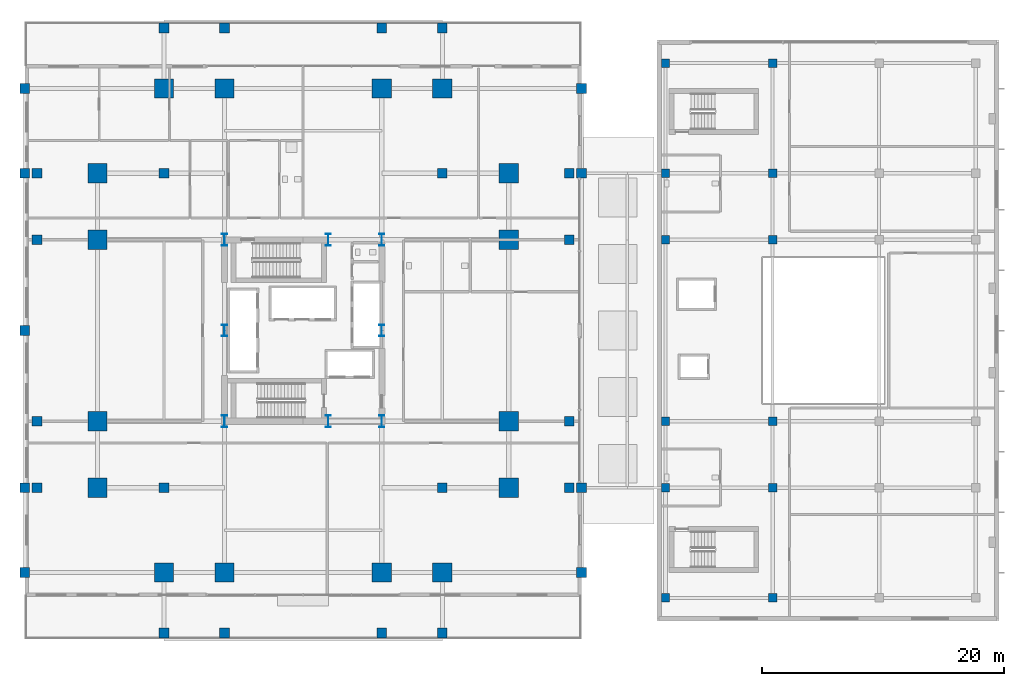
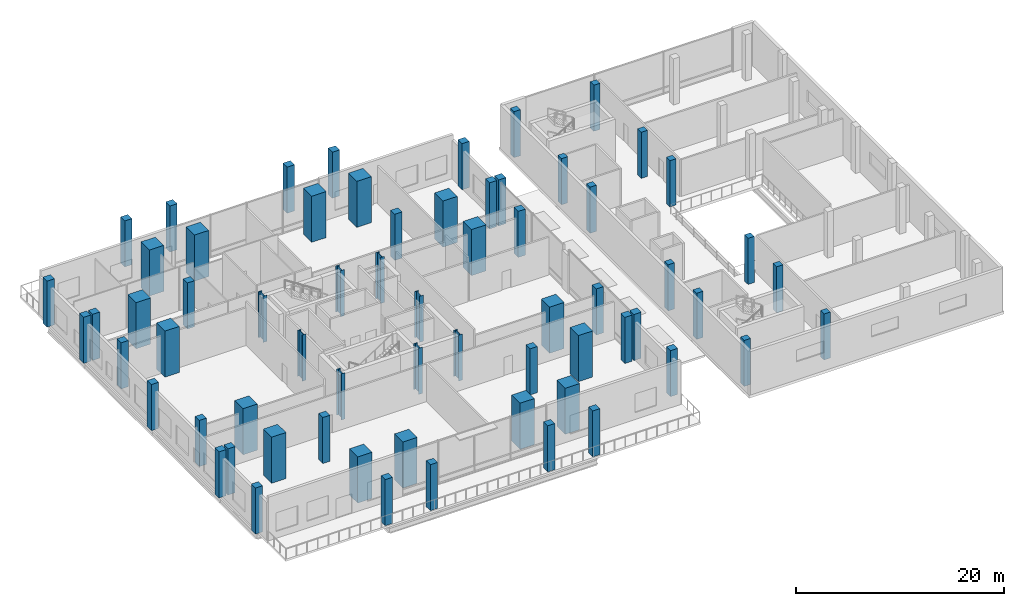
# One storey, part 1 of 36: 65 columns.
"""IFC4 building model written with IfcOpenShell, lengths in metres."""

from ifc_helpers import new_model, si_unit, direction, frame, origin, origin_2d, place, context, subcontext, project, spatial, rectangle, i_section, extrude, material, material_profile, profile_set, type_object, element, save


model = new_model("IFC4")

# Units and contexts
model_context = context("Model", 3, precision=1e-05, world=origin(), true_north=direction((0.0, 1.0)))
body_context = subcontext(model_context, "Body", "Model", "MODEL_VIEW")
ifc_project = project(units=[si_unit("LENGTHUNIT", "METRE"), si_unit("AREAUNIT", "SQUARE_METRE"), si_unit("VOLUMEUNIT", "CUBIC_METRE"), si_unit("PLANEANGLEUNIT", "RADIAN"), si_unit("MASSUNIT", "GRAM", prefix="KILO")], contexts=[model_context])

# Site, building, storey
site_placement = place(None, origin())
site = spatial("IfcSite", under=ifc_project, at=site_placement, CompositionType="ELEMENT")
building_placement = place(site_placement, origin())
building = spatial("IfcBuilding", under=site, at=building_placement, Name="Barlavira Tower and Art Museum", CompositionType="ELEMENT")
storey_placement = place(building_placement, frame((0.0, 0.0, 11.39990234375)))
storey = spatial("IfcBuildingStorey", under=building, at=storey_placement, Name="L02", CompositionType="ELEMENT", Elevation=11.39990234375)

# Columns
ifc_material_1 = material(Name="Steel S355", Category="steel")
ifc_material_profile_1 = material_profile(ifc_material_1, i_section(OverallWidth=0.419921875, OverallDepth=0.9599609375, WebThickness=0.02197265625, FlangeThickness=0.033935546875, at=origin_2d()), Name="W920x387.0")
ifc_profile_set_1 = profile_set([ifc_material_profile_1], Name="Steel S355")
column_type_1 = type_object("IfcColumnType", Name="Core Composite Column W920x387 Steel S355", PredefinedType="COLUMN", material=ifc_profile_set_1)
for number, where, z_axis, x_axis, name in (
    (1, (-6.5, -7.5, 0.0), (0.0, 0.0, 1.0), (1.0, 0.0, 0.0), "L02 Column CC-L02-C1"),
    (2, (2.080078125, -7.5, 0.0), (0.0, 0.0, 1.0), (1.0, 0.0, 0.0), "L02 Column CC-L02-C2"),
    (3, (6.5, -7.5, 0.0), (0.0, 0.0, 1.0), (1.0, 0.0, 0.0), "L02 Column CC-L02-C3"),
    (4, (-6.5, 0.0, 0.0), (0.0, 0.0, 1.0), (1.0, 0.0, 0.0), "L02 Column CC-L02-C4"),
    (5, (6.5, 0.0, 0.0), (0.0, 0.0, 1.0), (1.0, 0.0, 0.0), "L02 Column CC-L02-C5"),
    (6, (-6.5, 7.5, 0.0), (0.0, 0.0, 1.0), (1.0, 0.0, 0.0), "L02 Column CC-L02-C6"),
    (7, (2.080078125, 7.5, 0.0), (0.0, 0.0, 1.0), (1.0, 0.0, 0.0), "L02 Column CC-L02-C7"),
    (8, (6.5, 7.5, 0.0), (0.0, 0.0, 1.0), (1.0, 0.0, 0.0), "L02 Column CC-L02-C8"),
):
    element("IfcColumn", number, at=place(storey_placement, frame(where, z_axis=z_axis, x_axis=x_axis)), inside=storey, type_object=column_type_1, Name=name, PredefinedType="COLUMN", context=body_context, shape_type="SweptSolid", body=[
        extrude(i_section(OverallWidth=0.419921875, OverallDepth=0.9599609375, WebThickness=0.02197265625, FlangeThickness=0.033935546875, at=origin_2d()), origin(), (0.0, 0.0, 1.0), 5.400146484375),
    ])
ifc_material_2 = material(Name="Concrete C50", Category="concrete")
ifc_material_profile_2 = material_profile(ifc_material_2, rectangle(XDim=0.699951171875, YDim=0.699951171875, at=origin_2d()), Name="RC-COL 700x700")
ifc_profile_set_2 = profile_set([ifc_material_profile_2], Name="Concrete C50")
column_type_2 = type_object("IfcColumnType", Name="Museum Frame Column 700x700 Concrete C50", PredefinedType="COLUMN", material=ifc_profile_set_2)
for number, where, z_axis, x_axis, name in (
    (9, (29.949951171875, -22.10009765625, 0.0), (0.0, 0.0, 1.0), (1.0, 0.0, 0.0), "L02 Museum Column 1-1"),
    (10, (29.949951171875, -13.0, 0.0), (0.0, 0.0, 1.0), (1.0, 0.0, 0.0), "L02 Museum Column 1-2"),
    (11, (29.949951171875, -7.5, 0.0), (0.0, 0.0, 1.0), (1.0, 0.0, 0.0), "L02 Museum Column 1-3"),
    (12, (29.949951171875, 7.5, 0.0), (0.0, 0.0, 1.0), (1.0, 0.0, 0.0), "L02 Museum Column 1-4"),
    (13, (29.949951171875, 13.0, 0.0), (0.0, 0.0, 1.0), (1.0, 0.0, 0.0), "L02 Museum Column 1-5"),
    (14, (29.949951171875, 22.10009765625, 0.0), (0.0, 0.0, 1.0), (1.0, 0.0, 0.0), "L02 Museum Column 1-6"),
    (15, (38.800048828125, -22.10009765625, 0.0), (0.0, 0.0, 1.0), (1.0, 0.0, 0.0), "L02 Museum Column 2-1"),
    (16, (38.800048828125, -13.0, 0.0), (0.0, 0.0, 1.0), (1.0, 0.0, 0.0), "L02 Museum Column 2-2"),
    (17, (38.800048828125, -7.5, 0.0), (0.0, 0.0, 1.0), (1.0, 0.0, 0.0), "L02 Museum Column 2-3"),
    (18, (38.800048828125, 7.5, 0.0), (0.0, 0.0, 1.0), (1.0, 0.0, 0.0), "L02 Museum Column 2-4"),
    (19, (38.800048828125, 13.0, 0.0), (0.0, 0.0, 1.0), (1.0, 0.0, 0.0), "L02 Museum Column 2-5"),
    (20, (38.800048828125, 22.10009765625, 0.0), (0.0, 0.0, 1.0), (1.0, 0.0, 0.0), "L02 Museum Column 2-6"),
):
    element("IfcColumn", number, at=place(storey_placement, frame(where, z_axis=z_axis, x_axis=x_axis)), inside=storey, type_object=column_type_2, Name=name, PredefinedType="COLUMN", context=body_context, shape_type="SweptSolid", body=[
        extrude(rectangle(XDim=0.699951171875, YDim=0.699951171875, at=origin_2d()), origin(), (0.0, 0.0, 1.0), 5.400146484375),
    ])
ifc_material_3 = material(Name="Concrete C60", Category="concrete")
ifc_material_profile_3 = material_profile(ifc_material_3, rectangle(XDim=1.60009765625, YDim=1.60009765625, at=origin_2d()), Name="RC-MCOL 1600x1600")
ifc_profile_set_3 = profile_set([ifc_material_profile_3], Name="Concrete C60")
column_type_3 = type_object("IfcColumnType", Name="Perimeter Mega Column 1600x1600 Concrete C60", PredefinedType="USERDEFINED", material=ifc_profile_set_3)
for number, where, z_axis, x_axis, name in (
    (21, (-11.5, -20.0, 0.0), (0.0, 0.0, 1.0), (1.0, 0.0, 0.0), "L02 Column MC-L02-M01"),
    (22, (-6.5, -20.0, 0.0), (0.0, 0.0, 1.0), (1.0, 0.0, 0.0), "L02 Column MC-L02-M02"),
    (23, (6.5, -20.0, 0.0), (0.0, 0.0, 1.0), (1.0, 0.0, 0.0), "L02 Column MC-L02-M03"),
    (24, (11.5, -20.0, 0.0), (0.0, 0.0, 1.0), (1.0, 0.0, 0.0), "L02 Column MC-L02-M04"),
    (25, (17.0, -13.0, 0.0), (0.0, 0.0, 1.0), (1.0, 0.0, 0.0), "L02 Column MC-L02-M05"),
    (26, (17.0, -7.5, 0.0), (0.0, 0.0, 1.0), (1.0, 0.0, 0.0), "L02 Column MC-L02-M06"),
    (27, (17.0, 7.5, 0.0), (0.0, 0.0, 1.0), (1.0, 0.0, 0.0), "L02 Column MC-L02-M07"),
    (28, (17.0, 13.0, 0.0), (0.0, 0.0, 1.0), (1.0, 0.0, 0.0), "L02 Column MC-L02-M08"),
    (29, (11.5, 20.0, 0.0), (0.0, 0.0, 1.0), (1.0, 0.0, 0.0), "L02 Column MC-L02-M09"),
    (30, (6.5, 20.0, 0.0), (0.0, 0.0, 1.0), (1.0, 0.0, 0.0), "L02 Column MC-L02-M10"),
    (31, (-6.5, 20.0, 0.0), (0.0, 0.0, 1.0), (1.0, 0.0, 0.0), "L02 Column MC-L02-M11"),
    (32, (-11.5, 20.0, 0.0), (0.0, 0.0, 1.0), (1.0, 0.0, 0.0), "L02 Column MC-L02-M12"),
    (33, (-17.0, 13.0, 0.0), (0.0, 0.0, 1.0), (1.0, 0.0, 0.0), "L02 Column MC-L02-M13"),
    (34, (-17.0, 7.5, 0.0), (0.0, 0.0, 1.0), (1.0, 0.0, 0.0), "L02 Column MC-L02-M14"),
    (35, (-17.0, -7.5, 0.0), (0.0, 0.0, 1.0), (1.0, 0.0, 0.0), "L02 Column MC-L02-M15"),
    (36, (-17.0, -13.0, 0.0), (0.0, 0.0, 1.0), (1.0, 0.0, 0.0), "L02 Column MC-L02-M16"),
):
    element("IfcColumn", number, at=place(storey_placement, frame(where, z_axis=z_axis, x_axis=x_axis)), inside=storey, type_object=column_type_3, Name=name, ObjectType="MEGA COLUMN", PredefinedType="USERDEFINED", context=body_context, shape_type="SweptSolid", body=[
        extrude(rectangle(XDim=1.60009765625, YDim=1.60009765625, at=origin_2d()), origin(), (0.0, 0.0, 1.0), 5.400146484375),
    ])
ifc_material_profile_4 = material_profile(ifc_material_2, rectangle(XDim=0.800048828125, YDim=0.800048828125, at=origin_2d()), Name="RC-COL 800x800")
ifc_profile_set_4 = profile_set([ifc_material_profile_4], Name="Concrete C50")
column_type_4 = type_object("IfcColumnType", Name="Podium Frame Column 800x800 Concrete C50", PredefinedType="COLUMN", material=ifc_profile_set_4)
for number, where, z_axis, x_axis, name in (
    (37, (-23.0, -20.0, 0.0), (0.0, 0.0, 1.0), (1.0, 0.0, 0.0), "L02 Column CP-L02-P1"),
    (38, (-23.0, -13.0, 0.0), (0.0, 0.0, 1.0), (1.0, 0.0, 0.0), "L02 Column CP-L02-P2"),
    (39, (-23.0, 0.0, 0.0), (0.0, 0.0, 1.0), (1.0, 0.0, 0.0), "L02 Column CP-L02-P3"),
    (40, (-23.0, 13.0, 0.0), (0.0, 0.0, 1.0), (1.0, 0.0, 0.0), "L02 Column CP-L02-P4"),
    (41, (-23.0, 20.0, 0.0), (0.0, 0.0, 1.0), (1.0, 0.0, 0.0), "L02 Column CP-L02-P5"),
    (42, (23.0, -20.0, 0.0), (0.0, 0.0, 1.0), (1.0, 0.0, 0.0), "L02 Column CP-L02-P6"),
    (43, (23.0, -13.0, 0.0), (0.0, 0.0, 1.0), (1.0, 0.0, 0.0), "L02 Column CP-L02-P7"),
    (44, (23.0, 13.0, 0.0), (0.0, 0.0, 1.0), (1.0, 0.0, 0.0), "L02 Column CP-L02-P8"),
    (45, (23.0, 20.0, 0.0), (0.0, 0.0, 1.0), (1.0, 0.0, 0.0), "L02 Column CP-L02-P9"),
    (46, (-11.5, -13.0, 0.0), (0.0, 0.0, 1.0), (1.0, 0.0, 0.0), "L02 Column CI-L02-I1"),
    (47, (11.5, -13.0, 0.0), (0.0, 0.0, 1.0), (1.0, 0.0, 0.0), "L02 Column CI-L02-I2"),
    (48, (-11.5, 13.0, 0.0), (0.0, 0.0, 1.0), (1.0, 0.0, 0.0), "L02 Column CI-L02-I3"),
    (49, (11.5, 13.0, 0.0), (0.0, 0.0, 1.0), (1.0, 0.0, 0.0), "L02 Column CI-L02-I4"),
    (50, (-11.5, -25.0, 0.0), (0.0, 0.0, 1.0), (1.0, 0.0, 0.0), "L02 Column CZ1-L02-N01"),
    (51, (-6.5, -25.0, 0.0), (0.0, 0.0, 1.0), (1.0, 0.0, 0.0), "L02 Column CZ1-L02-N02"),
    (52, (6.5, -25.0, 0.0), (0.0, 0.0, 1.0), (1.0, 0.0, 0.0), "L02 Column CZ1-L02-N02B"),
    (53, (11.5, -25.0, 0.0), (0.0, 0.0, 1.0), (1.0, 0.0, 0.0), "L02 Column CZ1-L02-N03"),
    (54, (-22.0, -13.0, 0.0), (0.0, 0.0, 1.0), (1.0, 0.0, 0.0), "L02 Column CZ1-L02-N04"),
    (55, (-22.0, -7.5, 0.0), (0.0, 0.0, 1.0), (1.0, 0.0, 0.0), "L02 Column CZ1-L02-N05"),
    (56, (-22.0, 7.5, 0.0), (0.0, 0.0, 1.0), (1.0, 0.0, 0.0), "L02 Column CZ1-L02-N05B"),
    (57, (-22.0, 13.0, 0.0), (0.0, 0.0, 1.0), (1.0, 0.0, 0.0), "L02 Column CZ1-L02-N06"),
    (58, (-11.5, 25.0, 0.0), (0.0, 0.0, 1.0), (1.0, 0.0, 0.0), "L02 Column CZ1-L02-N07"),
    (59, (-6.5, 25.0, 0.0), (0.0, 0.0, 1.0), (1.0, 0.0, 0.0), "L02 Column CZ1-L02-N08"),
    (60, (6.5, 25.0, 0.0), (0.0, 0.0, 1.0), (1.0, 0.0, 0.0), "L02 Column CZ1-L02-N08B"),
    (61, (11.5, 25.0, 0.0), (0.0, 0.0, 1.0), (1.0, 0.0, 0.0), "L02 Column CZ1-L02-N09"),
    (62, (22.0, -13.0, 0.0), (0.0, 0.0, 1.0), (1.0, 0.0, 0.0), "L02 Column CZ1-L02-N10"),
    (63, (22.0, -7.5, 0.0), (0.0, 0.0, 1.0), (1.0, 0.0, 0.0), "L02 Column CZ1-L02-N11"),
    (64, (22.0, 7.5, 0.0), (0.0, 0.0, 1.0), (1.0, 0.0, 0.0), "L02 Column CZ1-L02-N11B"),
    (65, (22.0, 13.0, 0.0), (0.0, 0.0, 1.0), (1.0, 0.0, 0.0), "L02 Column CZ1-L02-N12"),
):
    element("IfcColumn", number, at=place(storey_placement, frame(where, z_axis=z_axis, x_axis=x_axis)), inside=storey, type_object=column_type_4, Name=name, PredefinedType="COLUMN", context=body_context, shape_type="SweptSolid", body=[
        extrude(rectangle(XDim=0.800048828125, YDim=0.800048828125, at=origin_2d()), origin(), (0.0, 0.0, 1.0), 5.400146484375),
    ])

save(model, "model.ifc")
